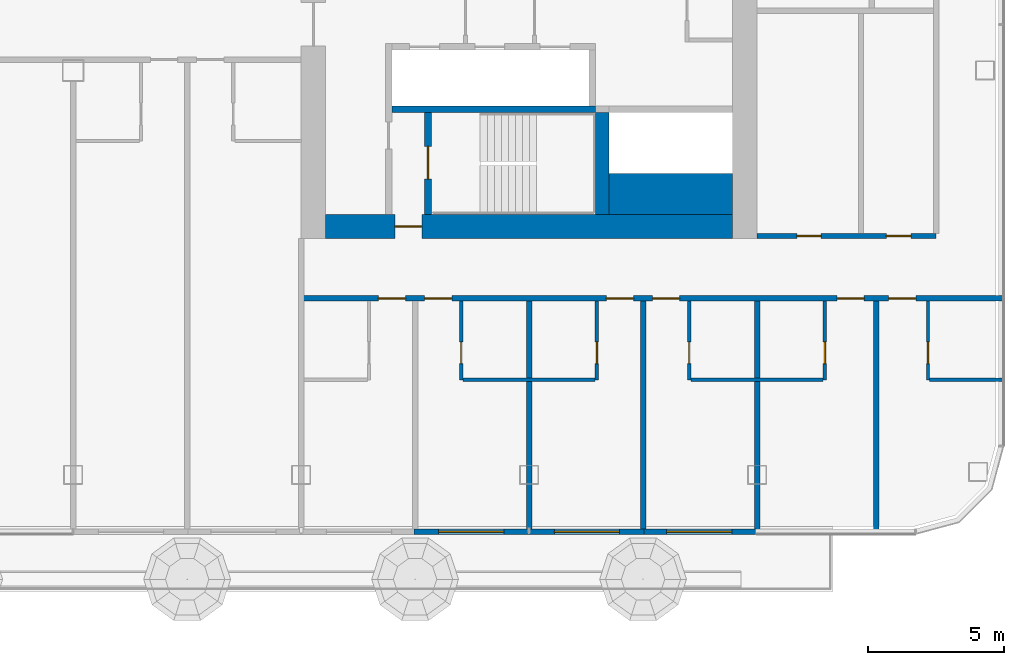
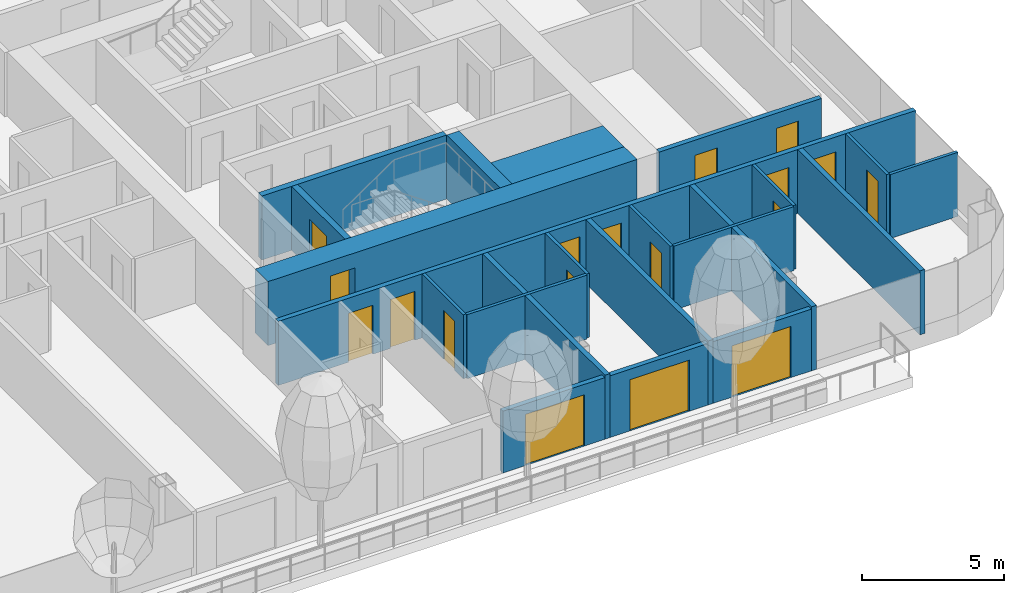
# One storey, part 17 of 32: 22 walls, 18 doors, 18 openings, 1 element without a shape of its own.
"""IFC4 building model written with IfcOpenShell, lengths in metres."""

from ifc_helpers import new_model, si_unit, direction, frame, frame_2d, origin, place, context, subcontext, project, spatial, rectangle, extrude, material, layer, layer_set, type_object, element, fill, aggregate, save


model = new_model("IFC4")

# Units and contexts
model_context = context("Model", 3, precision=1e-05, world=origin(), true_north=direction((0.0, 1.0)))
body_context = subcontext(model_context, "Body", "Model", "MODEL_VIEW")
ifc_project = project(units=[si_unit("LENGTHUNIT", "METRE"), si_unit("AREAUNIT", "SQUARE_METRE"), si_unit("VOLUMEUNIT", "CUBIC_METRE"), si_unit("PLANEANGLEUNIT", "RADIAN"), si_unit("MASSUNIT", "GRAM", prefix="KILO")], contexts=[model_context])

# Site, building, storey
site_placement = place(None, origin())
site = spatial("IfcSite", under=ifc_project, at=site_placement, CompositionType="ELEMENT")
building_placement = place(site_placement, origin())
building = spatial("IfcBuilding", under=site, at=building_placement, Name="Hakoniwa Tower and Hamabe Station Hall", CompositionType="ELEMENT")
storey_placement = place(building_placement, frame((0.0, 0.0, 150.199951171875)))
storey = spatial("IfcBuildingStorey", under=building, at=storey_placement, Name="L42", CompositionType="ELEMENT", Elevation=150.199951171875)

# Walls
ifc_material_1 = material(Name="Gypsum board partition", Category="gypsum")
ifc_layer_1 = layer(ifc_material_1, 0.125)
ifc_layer_set_1 = layer_set([ifc_layer_1], Name="Bathroom Partition 125")
wall_type_1 = type_object("IfcWallType", Name="Bathroom Partition 125", PredefinedType="PARTITIONING", material=ifc_layer_set_1)
for number, where, z_axis, x_axis, name in (
    (1, (22.762451171875, -13.60009765625, 0.0), (0.0, 0.0, 1.0), (1.0, 0.0, 0.0), "GW-L42-006"),
    (2, (31.16259765625, -13.60009765625, 0.0), (0.0, 0.0, 1.0), (1.0, 0.0, 0.0), "GW-L42-007"),
):
    element("IfcWall", number, at=place(storey_placement, frame(where, z_axis=z_axis, x_axis=x_axis)), inside=storey, type_object=wall_type_1, Name=name, PredefinedType="PARTITIONING", context=body_context, shape_type="SweptSolid", body=[
        extrude(rectangle(XDim=4.875, YDim=0.125, at=frame_2d((2.4375, 0.0))), origin(), (0.0, 0.0, 1.0), 2.75),
    ])
wall_1_placement = place(storey_placement, frame((39.96240234375, -13.60009765625, 0.0), z_axis=(0.0, 0.0, 1.0), x_axis=(1.0, 0.0, 0.0)))
element("IfcWall", 3, at=wall_1_placement, inside=storey, type_object=wall_type_1, Name="GW-L42-008", PredefinedType="PARTITIONING", context=body_context, shape_type="SweptSolid", body=[
    extrude(rectangle(XDim=2.737548828125, YDim=0.125, at=frame_2d((1.36865234375, 0.0))), origin(), (0.0, 0.0, 1.0), 2.75),
])

# Wall, opening, door
wall_2_placement = place(storey_placement, frame((22.699951171875, -13.60009765625, 0.0), z_axis=(0.0, 0.0, 1.0), x_axis=(0.0, 1.0, 0.0)))
wall_2 = element("IfcWall", 4, at=wall_2_placement, inside=storey, type_object=wall_type_1, Name="GW-L42-089", PredefinedType="PARTITIONING", context=body_context, shape_type="SweptSolid", body=[
    extrude(rectangle(XDim=2.900146484375, YDim=0.125, at=frame_2d((1.4501953125, 0.0))), origin(), (0.0, 0.0, 1.0), 2.75),
])
opening_1_placement = place(wall_2_placement, frame((0.60009765625, 0.0, 0.0)))
opening_1 = element("IfcOpeningElement", 5, at=opening_1_placement, cuts=wall_2, Name="Opening GD-G3B1-68", PredefinedType="OPENING", context=body_context, shape_type="SweptSolid", body=[
    extrude(rectangle(XDim=0.800048828125, YDim=2.10009765625, at=frame_2d((0.39990234375, 1.050048828125))), frame((0.0, 0.072509765625, 0.0), z_axis=(0.0, -1.0, 0.0), x_axis=(1.0, 0.0, 0.0)), (0.0, 0.0, 1.0), 0.14501953125),
])
ifc_material_2 = material(Name="Timber door leaf", Category="wood")
door_type_1 = type_object("IfcDoorType", Name="Bathroom Door 800", OperationType="SINGLE_SWING_LEFT", PredefinedType="DOOR", material=ifc_material_2)
door_1_placement = place(opening_1_placement, origin())
door_1 = element("IfcDoor", 6, at=door_1_placement, inside=storey, type_object=door_type_1, Name="Door GD-G3B1-68", OperationType="SINGLE_SWING_LEFT", OverallHeight=2.10009765625, OverallWidth=0.800048828125, PredefinedType="DOOR", context=body_context, shape_type="SweptSolid", body=[
    extrude(rectangle(XDim=0.800048828125, YDim=2.10009765625, at=frame_2d((0.39990234375, 1.050048828125))), frame((0.0, 0.02490234375, 0.0), z_axis=(0.0, -1.0, 0.0), x_axis=(1.0, 0.0, 0.0)), (0.0, 0.0, 1.0), 0.050048828125),
])
fill(opening_1, door_1)

wall_3_placement = place(storey_placement, frame((27.699951171875, -13.60009765625, 0.0), z_axis=(0.0, 0.0, 1.0), x_axis=(0.0, 1.0, 0.0)))
wall_3 = element("IfcWall", 7, at=wall_3_placement, inside=storey, type_object=wall_type_1, Name="GW-L42-092", PredefinedType="PARTITIONING", context=body_context, shape_type="SweptSolid", body=[
    extrude(rectangle(XDim=2.900146484375, YDim=0.125, at=frame_2d((1.4501953125, 0.0))), origin(), (0.0, 0.0, 1.0), 2.75),
])
opening_2_placement = place(wall_3_placement, frame((0.60009765625, 0.0, 0.0)))
opening_2 = element("IfcOpeningElement", 8, at=opening_2_placement, cuts=wall_3, Name="Opening GD-G3B1-69", PredefinedType="OPENING", context=body_context, shape_type="SweptSolid", body=[
    extrude(rectangle(XDim=0.800048828125, YDim=2.10009765625, at=frame_2d((0.39990234375, 1.050048828125))), frame((0.0, 0.072509765625, 0.0), z_axis=(0.0, -1.0, 0.0), x_axis=(1.0, 0.0, 0.0)), (0.0, 0.0, 1.0), 0.14501953125),
])
door_2_placement = place(opening_2_placement, origin())
door_2 = element("IfcDoor", 9, at=door_2_placement, inside=storey, type_object=door_type_1, Name="Door GD-G3B1-69", OperationType="SINGLE_SWING_RIGHT", OverallHeight=2.10009765625, OverallWidth=0.800048828125, PredefinedType="DOOR", context=body_context, shape_type="SweptSolid", body=[
    extrude(rectangle(XDim=0.800048828125, YDim=2.10009765625, at=frame_2d((0.39990234375, 1.050048828125))), frame((0.0, 0.02490234375, 0.0), z_axis=(0.0, -1.0, 0.0), x_axis=(1.0, 0.0, 0.0)), (0.0, 0.0, 1.0), 0.050048828125),
])
fill(opening_2, door_2)

wall_4_placement = place(storey_placement, frame((31.10009765625, -13.60009765625, 0.0), z_axis=(0.0, 0.0, 1.0), x_axis=(0.0, 1.0, 0.0)))
wall_4 = element("IfcWall", 10, at=wall_4_placement, inside=storey, type_object=wall_type_1, Name="GW-L42-094", PredefinedType="PARTITIONING", context=body_context, shape_type="SweptSolid", body=[
    extrude(rectangle(XDim=2.900146484375, YDim=0.125, at=frame_2d((1.4501953125, 0.0))), origin(), (0.0, 0.0, 1.0), 2.75),
])
opening_3_placement = place(wall_4_placement, frame((0.60009765625, 0.0, 0.0)))
opening_3 = element("IfcOpeningElement", 11, at=opening_3_placement, cuts=wall_4, Name="Opening GD-G3B1-70", PredefinedType="OPENING", context=body_context, shape_type="SweptSolid", body=[
    extrude(rectangle(XDim=0.800048828125, YDim=2.10009765625, at=frame_2d((0.39990234375, 1.050048828125))), frame((0.0, 0.072509765625, 0.0), z_axis=(0.0, -1.0, 0.0), x_axis=(1.0, 0.0, 0.0)), (0.0, 0.0, 1.0), 0.14501953125),
])
door_3_placement = place(opening_3_placement, origin())
door_3 = element("IfcDoor", 12, at=door_3_placement, inside=storey, type_object=door_type_1, Name="Door GD-G3B1-70", OperationType="SINGLE_SWING_LEFT", OverallHeight=2.10009765625, OverallWidth=0.800048828125, PredefinedType="DOOR", context=body_context, shape_type="SweptSolid", body=[
    extrude(rectangle(XDim=0.800048828125, YDim=2.10009765625, at=frame_2d((0.39990234375, 1.050048828125))), frame((0.0, 0.02490234375, 0.0), z_axis=(0.0, -1.0, 0.0), x_axis=(1.0, 0.0, 0.0)), (0.0, 0.0, 1.0), 0.050048828125),
])
fill(opening_3, door_3)

wall_5_placement = place(storey_placement, frame((36.10009765625, -13.60009765625, 0.0), z_axis=(0.0, 0.0, 1.0), x_axis=(0.0, 1.0, 0.0)))
wall_5 = element("IfcWall", 13, at=wall_5_placement, inside=storey, type_object=wall_type_1, Name="GW-L42-097", PredefinedType="PARTITIONING", context=body_context, shape_type="SweptSolid", body=[
    extrude(rectangle(XDim=2.900146484375, YDim=0.125, at=frame_2d((1.4501953125, 0.0))), origin(), (0.0, 0.0, 1.0), 2.75),
])
opening_4_placement = place(wall_5_placement, frame((0.60009765625, 0.0, 0.0)))
opening_4 = element("IfcOpeningElement", 14, at=opening_4_placement, cuts=wall_5, Name="Opening GD-G3B1-71", PredefinedType="OPENING", context=body_context, shape_type="SweptSolid", body=[
    extrude(rectangle(XDim=0.800048828125, YDim=2.10009765625, at=frame_2d((0.39990234375, 1.050048828125))), frame((0.0, 0.072509765625, 0.0), z_axis=(0.0, -1.0, 0.0), x_axis=(1.0, 0.0, 0.0)), (0.0, 0.0, 1.0), 0.14501953125),
])
door_4_placement = place(opening_4_placement, origin())
door_4 = element("IfcDoor", 15, at=door_4_placement, inside=storey, type_object=door_type_1, Name="Door GD-G3B1-71", OperationType="SINGLE_SWING_RIGHT", OverallHeight=2.10009765625, OverallWidth=0.800048828125, PredefinedType="DOOR", context=body_context, shape_type="SweptSolid", body=[
    extrude(rectangle(XDim=0.800048828125, YDim=2.10009765625, at=frame_2d((0.39990234375, 1.050048828125))), frame((0.0, 0.02490234375, 0.0), z_axis=(0.0, -1.0, 0.0), x_axis=(1.0, 0.0, 0.0)), (0.0, 0.0, 1.0), 0.050048828125),
])
fill(opening_4, door_4)

wall_6_placement = place(storey_placement, frame((39.89990234375, -13.60009765625, 0.0), z_axis=(0.0, 0.0, 1.0), x_axis=(0.0, 1.0, 0.0)))
wall_6 = element("IfcWall", 16, at=wall_6_placement, inside=storey, type_object=wall_type_1, Name="GW-L42-101", PredefinedType="PARTITIONING", context=body_context, shape_type="SweptSolid", body=[
    extrude(rectangle(XDim=2.900146484375, YDim=0.125, at=frame_2d((1.4501953125, 0.0))), origin(), (0.0, 0.0, 1.0), 2.75),
])
opening_5_placement = place(wall_6_placement, frame((0.60009765625, 0.0, 0.0)))
opening_5 = element("IfcOpeningElement", 17, at=opening_5_placement, cuts=wall_6, Name="Opening GD-G3B1-72", PredefinedType="OPENING", context=body_context, shape_type="SweptSolid", body=[
    extrude(rectangle(XDim=0.800048828125, YDim=2.10009765625, at=frame_2d((0.39990234375, 1.050048828125))), frame((0.0, 0.072509765625, 0.0), z_axis=(0.0, -1.0, 0.0), x_axis=(1.0, 0.0, 0.0)), (0.0, 0.0, 1.0), 0.14501953125),
])
door_5_placement = place(opening_5_placement, origin())
door_5 = element("IfcDoor", 18, at=door_5_placement, inside=storey, type_object=door_type_1, Name="Door GD-G3B1-72", OperationType="SINGLE_SWING_LEFT", OverallHeight=2.10009765625, OverallWidth=0.800048828125, PredefinedType="DOOR", context=body_context, shape_type="SweptSolid", body=[
    extrude(rectangle(XDim=0.800048828125, YDim=2.10009765625, at=frame_2d((0.39990234375, 1.050048828125))), frame((0.0, 0.02490234375, 0.0), z_axis=(0.0, -1.0, 0.0), x_axis=(1.0, 0.0, 0.0)), (0.0, 0.0, 1.0), 0.050048828125),
])
fill(opening_5, door_5)

ifc_material_3 = material(Name="Concrete C66", Category="concrete")
ifc_layer_2 = layer(ifc_material_3, 0.89990234375)
ifc_layer_set_2 = layer_set([ifc_layer_2], Name="CORE WALL 900 C66")
wall_type_2 = type_object("IfcWallType", Name="CORE WALL 900 C66", PredefinedType="SHEAR", material=ifc_layer_set_2)
wall_7_placement = place(storey_placement, frame((17.699951171875, -7.949951171875, 0.0), z_axis=(0.0, 0.0, 1.0), x_axis=(1.0, 0.0, 0.0)))
wall_7 = element("IfcWall", 19, at=wall_7_placement, inside=storey, type_object=wall_type_2, Name="Core wall SOUTH east", PredefinedType="SHEAR", context=body_context, shape_type="SweptSolid", body=[
    extrude(rectangle(XDim=15.0, YDim=0.89990234375, at=frame_2d((7.5, 0.0))), origin(), (0.0, 0.0, 1.0), 2.75),
])
opening_6_placement = place(wall_7_placement, frame((2.550048828125, 0.0, 0.0)))
opening_6 = element("IfcOpeningElement", 20, at=opening_6_placement, cuts=wall_7, Name="Opening CD-E-FS3-10", PredefinedType="OPENING", context=body_context, shape_type="SweptSolid", body=[
    extrude(rectangle(XDim=1.0, YDim=2.10009765625, at=frame_2d((0.5, 1.050048828125))), frame((0.0, 0.4599609375, 0.0), z_axis=(0.0, -1.0, 0.0), x_axis=(1.0, 0.0, 0.0)), (0.0, 0.0, 1.0), 0.919921875),
])
ifc_material_4 = material(Name="Steel fire door", Category="steel")
door_type_2 = type_object("IfcDoorType", Name="CORE DOOR 1000 FD60", OperationType="NOTDEFINED", PredefinedType="DOOR", material=ifc_material_4)
door_6_placement = place(opening_6_placement, origin())
door_6 = element("IfcDoor", 21, at=door_6_placement, inside=storey, type_object=door_type_2, Name="Stair vestibule door", OperationType="SINGLE_SWING_LEFT", OverallHeight=2.10009765625, OverallWidth=1.0, PredefinedType="DOOR", context=body_context, shape_type="SweptSolid", body=[
    extrude(rectangle(XDim=1.0, YDim=2.10009765625, at=frame_2d((0.5, 1.050048828125))), frame((0.0, 0.02490234375, 0.0), z_axis=(0.0, -1.0, 0.0), x_axis=(1.0, 0.0, 0.0)), (0.0, 0.0, 1.0), 0.050048828125),
])
fill(opening_6, door_6)

# Walls
ifc_material_5 = material(Name="Concrete C66", Category="concrete")
ifc_layer_3 = layer(ifc_material_5, 1.5)
ifc_layer_set_3 = layer_set([ifc_layer_3], Name="CORE WEB WALL 1500 C66")
wall_type_3 = type_object("IfcWallType", Name="CORE WEB WALL 1500 C66", PredefinedType="SHEAR", material=ifc_layer_set_3)
wall_8_placement = place(storey_placement, frame((28.14990234375, -6.75, 0.0), z_axis=(0.0, 0.0, 1.0), x_axis=(1.0, 0.0, 0.0)))
element("IfcWall", 22, at=wall_8_placement, inside=storey, type_object=wall_type_3, Name="Core wall SER east", PredefinedType="SHEAR", context=body_context, shape_type="SweptSolid", body=[
    extrude(rectangle(XDim=4.550048828125, YDim=1.5, at=frame_2d((2.27490234375, 0.0))), origin(), (0.0, 0.0, 1.0), 2.75),
])
ifc_material_6 = material(Name="Concrete C66", Category="concrete")
ifc_layer_4 = layer(ifc_material_6, 0.25)
ifc_layer_set_4 = layer_set([ifc_layer_4], Name="CORE WEB WALL 250 C66")
wall_type_4 = type_object("IfcWallType", Name="CORE WEB WALL 250 C66", PredefinedType="SHEAR", material=ifc_layer_set_4)
wall_9_placement = place(storey_placement, frame((20.14990234375, -3.625, 0.0), z_axis=(0.0, 0.0, 1.0), x_axis=(1.0, 0.0, 0.0)))
element("IfcWall", 23, at=wall_9_placement, inside=storey, type_object=wall_type_4, Name="Core wall SR east", PredefinedType="SHEAR", context=body_context, shape_type="SweptSolid", body=[
    extrude(rectangle(XDim=7.5, YDim=0.25, at=frame_2d((3.75, 0.0))), origin(), (0.0, 0.0, 1.0), 2.75),
])

# Wall, opening, door
wall_10_placement = place(storey_placement, frame((21.47509765625, -7.5, 0.0), z_axis=(0.0, 0.0, 1.0), x_axis=(0.0, 1.0, 0.0)))
wall_10 = element("IfcWall", 24, at=wall_10_placement, inside=storey, type_object=wall_type_4, Name="Core wall VE east", PredefinedType="SHEAR", context=body_context, shape_type="SweptSolid", body=[
    extrude(rectangle(XDim=3.75, YDim=0.25, at=frame_2d((1.875, 0.0))), origin(), (0.0, 0.0, 1.0), 2.75),
])
opening_7_placement = place(wall_10_placement, frame((1.300048828125, 0.0, 0.0)))
opening_7 = element("IfcOpeningElement", 25, at=opening_7_placement, cuts=wall_10, Name="Opening CD-E-SS-12", PredefinedType="OPENING", context=body_context, shape_type="SweptSolid", body=[
    extrude(rectangle(XDim=1.199951171875, YDim=2.10009765625, at=frame_2d((0.60009765625, 1.050048828125))), frame((0.0, 0.135009765625, 0.0), z_axis=(0.0, -1.0, 0.0), x_axis=(1.0, 0.0, 0.0)), (0.0, 0.0, 1.0), 0.27001953125),
])
ifc_material_7 = material(Name="Steel fire door", Category="steel")
door_type_3 = type_object("IfcDoorType", Name="CORE DOOR 1200 FD60", OperationType="DOUBLE_DOOR_SINGLE_SWING", PredefinedType="DOOR", material=ifc_material_7)
door_7_placement = place(opening_7_placement, origin())
door_7 = element("IfcDoor", 26, at=door_7_placement, inside=storey, type_object=door_type_3, Name="Escape stair door", OperationType="DOUBLE_DOOR_SINGLE_SWING", OverallHeight=2.10009765625, OverallWidth=1.199951171875, PredefinedType="DOOR", context=body_context, shape_type="SweptSolid", body=[
    extrude(rectangle(XDim=1.199951171875, YDim=2.10009765625, at=frame_2d((0.60009765625, 1.050048828125))), frame((0.0, 0.02490234375, 0.0), z_axis=(0.0, -1.0, 0.0), x_axis=(1.0, 0.0, 0.0)), (0.0, 0.0, 1.0), 0.050048828125),
])
fill(opening_7, door_7)

# Wall
ifc_material_8 = material(Name="Concrete C66", Category="concrete")
ifc_layer_5 = layer(ifc_material_8, 0.5)
ifc_layer_set_5 = layer_set([ifc_layer_5], Name="CORE WEB WALL 500 C66")
wall_type_5 = type_object("IfcWallType", Name="CORE WEB WALL 500 C66", PredefinedType="SHEAR", material=ifc_layer_set_5)
wall_11_placement = place(storey_placement, frame((27.89990234375, -7.5, 0.0), z_axis=(0.0, 0.0, 1.0), x_axis=(0.0, 1.0, 0.0)))
element("IfcWall", 27, at=wall_11_placement, inside=storey, type_object=wall_type_5, Name="Core wall SSE east", PredefinedType="SHEAR", context=body_context, shape_type="SweptSolid", body=[
    extrude(rectangle(XDim=3.75, YDim=0.5, at=frame_2d((1.875, 0.0))), origin(), (0.0, 0.0, 1.0), 2.75),
])

# Wall, openings, doors
ifc_material_9 = material(Name="Fire-rated gypsum board partition", Category="gypsum")
ifc_layer_6 = layer(ifc_material_9, 0.199951171875)
ifc_layer_set_6 = layer_set([ifc_layer_6], Name="Corridor Wall 200")
wall_type_6 = type_object("IfcWallType", Name="Corridor Wall 200", PredefinedType="PARTITIONING", material=ifc_layer_set_6)
wall_12_placement = place(storey_placement, frame((16.800048828125, -10.60009765625, 0.0), z_axis=(0.0, 0.0, 1.0), x_axis=(1.0, 0.0, 0.0)))
wall_12 = element("IfcWall", 28, at=wall_12_placement, inside=storey, type_object=wall_type_6, Name="GW-L42-010", PredefinedType="PARTITIONING", context=body_context, shape_type="SweptSolid", body=[
    extrude(rectangle(XDim=25.89990234375, YDim=0.199951171875, at=frame_2d((12.949951171875, 0.0))), origin(), (0.0, 0.0, 1.0), 2.75),
])
opening_8_placement = place(wall_12_placement, frame((2.85009765625, 0.0, 0.0)))
opening_8 = element("IfcOpeningElement", 29, at=opening_8_placement, cuts=wall_12, Name="Opening GD-G3B1-07", PredefinedType="OPENING", context=body_context, shape_type="SweptSolid", body=[
    extrude(rectangle(XDim=1.0, YDim=2.10009765625, at=frame_2d((0.5, 1.050048828125))), frame((0.0, 0.10986328125, 0.0), z_axis=(0.0, -1.0, 0.0), x_axis=(1.0, 0.0, 0.0)), (0.0, 0.0, 1.0), 0.219970703125),
])
opening_9_placement = place(wall_12_placement, frame((4.550048828125, 0.0, 0.0)))
opening_9 = element("IfcOpeningElement", 30, at=opening_9_placement, cuts=wall_12, Name="Opening GD-G3B1-08", PredefinedType="OPENING", context=body_context, shape_type="SweptSolid", body=[
    extrude(rectangle(XDim=1.0, YDim=2.10009765625, at=frame_2d((0.5, 1.050048828125))), frame((0.0, 0.10986328125, 0.0), z_axis=(0.0, -1.0, 0.0), x_axis=(1.0, 0.0, 0.0)), (0.0, 0.0, 1.0), 0.219970703125),
])
opening_10_placement = place(wall_12_placement, frame((11.25, 0.0, 0.0)))
opening_10 = element("IfcOpeningElement", 31, at=opening_10_placement, cuts=wall_12, Name="Opening GD-G3B1-09", PredefinedType="OPENING", context=body_context, shape_type="SweptSolid", body=[
    extrude(rectangle(XDim=1.0, YDim=2.10009765625, at=frame_2d((0.5, 1.050048828125))), frame((0.0, 0.10986328125, 0.0), z_axis=(0.0, -1.0, 0.0), x_axis=(1.0, 0.0, 0.0)), (0.0, 0.0, 1.0), 0.219970703125),
])
opening_11_placement = place(wall_12_placement, frame((12.949951171875, 0.0, 0.0)))
opening_11 = element("IfcOpeningElement", 32, at=opening_11_placement, cuts=wall_12, Name="Opening GD-G3B1-10", PredefinedType="OPENING", context=body_context, shape_type="SweptSolid", body=[
    extrude(rectangle(XDim=1.0, YDim=2.10009765625, at=frame_2d((0.5, 1.050048828125))), frame((0.0, 0.10986328125, 0.0), z_axis=(0.0, -1.0, 0.0), x_axis=(1.0, 0.0, 0.0)), (0.0, 0.0, 1.0), 0.219970703125),
])
opening_12_placement = place(wall_12_placement, frame((19.75, 0.0, 0.0)))
opening_12 = element("IfcOpeningElement", 33, at=opening_12_placement, cuts=wall_12, Name="Opening GD-G3B1-11", PredefinedType="OPENING", context=body_context, shape_type="SweptSolid", body=[
    extrude(rectangle(XDim=1.0, YDim=2.10009765625, at=frame_2d((0.5, 1.050048828125))), frame((0.0, 0.10986328125, 0.0), z_axis=(0.0, -1.0, 0.0), x_axis=(1.0, 0.0, 0.0)), (0.0, 0.0, 1.0), 0.219970703125),
])
opening_13_placement = place(wall_12_placement, frame((21.64990234375, 0.0, 0.0)))
opening_13 = element("IfcOpeningElement", 34, at=opening_13_placement, cuts=wall_12, Name="Opening GD-G3B1-12", PredefinedType="OPENING", context=body_context, shape_type="SweptSolid", body=[
    extrude(rectangle(XDim=1.0, YDim=2.10009765625, at=frame_2d((0.5, 1.050048828125))), frame((0.0, 0.10986328125, 0.0), z_axis=(0.0, -1.0, 0.0), x_axis=(1.0, 0.0, 0.0)), (0.0, 0.0, 1.0), 0.219970703125),
])
ifc_material_10 = material(Name="Timber door leaf", Category="wood")
door_type_4 = type_object("IfcDoorType", Name="Guest Entrance Door 1000", OperationType="SINGLE_SWING_LEFT", PredefinedType="DOOR", material=ifc_material_10)
door_8_placement = place(opening_8_placement, origin())
door_8 = element("IfcDoor", 35, at=door_8_placement, inside=storey, type_object=door_type_4, Name="Door GD-G3B1-07", OperationType="SINGLE_SWING_RIGHT", OverallHeight=2.10009765625, OverallWidth=1.0, PredefinedType="DOOR", context=body_context, shape_type="SweptSolid", body=[
    extrude(rectangle(XDim=1.0, YDim=2.10009765625, at=frame_2d((0.5, 1.050048828125))), frame((0.0, 0.02490234375, 0.0), z_axis=(0.0, -1.0, 0.0), x_axis=(1.0, 0.0, 0.0)), (0.0, 0.0, 1.0), 0.050048828125),
])
fill(opening_8, door_8)
door_9_placement = place(opening_9_placement, origin())
door_9 = element("IfcDoor", 36, at=door_9_placement, inside=storey, type_object=door_type_4, Name="Door GD-G3B1-08", OperationType="SINGLE_SWING_LEFT", OverallHeight=2.10009765625, OverallWidth=1.0, PredefinedType="DOOR", context=body_context, shape_type="SweptSolid", body=[
    extrude(rectangle(XDim=1.0, YDim=2.10009765625, at=frame_2d((0.5, 1.050048828125))), frame((0.0, 0.02490234375, 0.0), z_axis=(0.0, -1.0, 0.0), x_axis=(1.0, 0.0, 0.0)), (0.0, 0.0, 1.0), 0.050048828125),
])
fill(opening_9, door_9)
door_10_placement = place(opening_10_placement, origin())
door_10 = element("IfcDoor", 37, at=door_10_placement, inside=storey, type_object=door_type_4, Name="Door GD-G3B1-09", OperationType="SINGLE_SWING_RIGHT", OverallHeight=2.10009765625, OverallWidth=1.0, PredefinedType="DOOR", context=body_context, shape_type="SweptSolid", body=[
    extrude(rectangle(XDim=1.0, YDim=2.10009765625, at=frame_2d((0.5, 1.050048828125))), frame((0.0, 0.02490234375, 0.0), z_axis=(0.0, -1.0, 0.0), x_axis=(1.0, 0.0, 0.0)), (0.0, 0.0, 1.0), 0.050048828125),
])
fill(opening_10, door_10)
door_11_placement = place(opening_11_placement, origin())
door_11 = element("IfcDoor", 38, at=door_11_placement, inside=storey, type_object=door_type_4, Name="Door GD-G3B1-10", OperationType="SINGLE_SWING_RIGHT", OverallHeight=2.10009765625, OverallWidth=1.0, PredefinedType="DOOR", context=body_context, shape_type="SweptSolid", body=[
    extrude(rectangle(XDim=1.0, YDim=2.10009765625, at=frame_2d((0.5, 1.050048828125))), frame((0.0, 0.02490234375, 0.0), z_axis=(0.0, -1.0, 0.0), x_axis=(1.0, 0.0, 0.0)), (0.0, 0.0, 1.0), 0.050048828125),
])
fill(opening_11, door_11)
door_12_placement = place(opening_12_placement, origin())
door_12 = element("IfcDoor", 39, at=door_12_placement, inside=storey, type_object=door_type_4, Name="Door GD-G3B1-11", OperationType="SINGLE_SWING_LEFT", OverallHeight=2.10009765625, OverallWidth=1.0, PredefinedType="DOOR", context=body_context, shape_type="SweptSolid", body=[
    extrude(rectangle(XDim=1.0, YDim=2.10009765625, at=frame_2d((0.5, 1.050048828125))), frame((0.0, 0.02490234375, 0.0), z_axis=(0.0, -1.0, 0.0), x_axis=(1.0, 0.0, 0.0)), (0.0, 0.0, 1.0), 0.050048828125),
])
fill(opening_12, door_12)
door_13_placement = place(opening_13_placement, origin())
door_13 = element("IfcDoor", 40, at=door_13_placement, inside=storey, type_object=door_type_4, Name="Door GD-G3B1-12", OperationType="SINGLE_SWING_RIGHT", OverallHeight=2.10009765625, OverallWidth=1.0, PredefinedType="DOOR", context=body_context, shape_type="SweptSolid", body=[
    extrude(rectangle(XDim=1.0, YDim=2.10009765625, at=frame_2d((0.5, 1.050048828125))), frame((0.0, 0.02490234375, 0.0), z_axis=(0.0, -1.0, 0.0), x_axis=(1.0, 0.0, 0.0)), (0.0, 0.0, 1.0), 0.050048828125),
])
fill(opening_13, door_13)

wall_13_placement = place(storey_placement, frame((33.60009765625, -8.300048828125, 0.0), z_axis=(0.0, 0.0, 1.0), x_axis=(1.0, 0.0, 0.0)))
wall_13 = element("IfcWall", 41, at=wall_13_placement, inside=storey, type_object=wall_type_6, Name="GW-L42-012", PredefinedType="PARTITIONING", context=body_context, shape_type="SweptSolid", body=[
    extrude(rectangle(XDim=6.599853515625, YDim=0.199951171875, at=frame_2d((3.2998046875, 0.0))), origin(), (0.0, 0.0, 1.0), 2.75),
])
opening_14_placement = place(wall_13_placement, frame((1.465087890625, 0.0, 0.0)))
opening_14 = element("IfcOpeningElement", 42, at=opening_14_placement, cuts=wall_13, Name="Opening GD-G3B1-15", PredefinedType="OPENING", context=body_context, shape_type="SweptSolid", body=[
    extrude(rectangle(XDim=0.89990234375, YDim=2.10009765625, at=frame_2d((0.449951171875, 1.050048828125))), frame((0.0, 0.10986328125, 0.0), z_axis=(0.0, -1.0, 0.0), x_axis=(1.0, 0.0, 0.0)), (0.0, 0.0, 1.0), 0.219970703125),
])
opening_15_placement = place(wall_13_placement, frame((4.764892578125, 0.0, 0.0)))
opening_15 = element("IfcOpeningElement", 43, at=opening_15_placement, cuts=wall_13, Name="Opening GD-G3B1-16", PredefinedType="OPENING", context=body_context, shape_type="SweptSolid", body=[
    extrude(rectangle(XDim=0.89990234375, YDim=2.10009765625, at=frame_2d((0.449951171875, 1.050048828125))), frame((0.0, 0.10986328125, 0.0), z_axis=(0.0, -1.0, 0.0), x_axis=(1.0, 0.0, 0.0)), (0.0, 0.0, 1.0), 0.219970703125),
])
ifc_material_11 = material(Name="Timber door leaf", Category="wood")
door_type_5 = type_object("IfcDoorType", Name="Service Door 900", OperationType="SINGLE_SWING_LEFT", PredefinedType="DOOR", material=ifc_material_11)
door_14_placement = place(opening_14_placement, origin())
door_14 = element("IfcDoor", 44, at=door_14_placement, inside=storey, type_object=door_type_5, Name="Door GD-G3B1-15", OperationType="SINGLE_SWING_LEFT", OverallHeight=2.10009765625, OverallWidth=0.89990234375, PredefinedType="DOOR", context=body_context, shape_type="SweptSolid", body=[
    extrude(rectangle(XDim=0.89990234375, YDim=2.10009765625, at=frame_2d((0.449951171875, 1.050048828125))), frame((0.0, 0.02490234375, 0.0), z_axis=(0.0, -1.0, 0.0), x_axis=(1.0, 0.0, 0.0)), (0.0, 0.0, 1.0), 0.050048828125),
])
fill(opening_14, door_14)
door_15_placement = place(opening_15_placement, origin())
door_15 = element("IfcDoor", 45, at=door_15_placement, inside=storey, type_object=door_type_5, Name="Door GD-G3B1-16", OperationType="SINGLE_SWING_LEFT", OverallHeight=2.10009765625, OverallWidth=0.89990234375, PredefinedType="DOOR", context=body_context, shape_type="SweptSolid", body=[
    extrude(rectangle(XDim=0.89990234375, YDim=2.10009765625, at=frame_2d((0.449951171875, 1.050048828125))), frame((0.0, 0.02490234375, 0.0), z_axis=(0.0, -1.0, 0.0), x_axis=(1.0, 0.0, 0.0)), (0.0, 0.0, 1.0), 0.050048828125),
])
fill(opening_15, door_15)

# Curtain wall, walls, openings, doors
ifc_material_12 = material(Name="Dark low-e laminated glass", Category="glass")
ifc_layer_7 = layer(ifc_material_12, 0.199951171875)
ifc_layer_set_7 = layer_set([ifc_layer_7], Name="CW-1 UNITISED GUEST")
curtain_wall_type = type_object("IfcCurtainWallType", Name="CW-1 UNITISED GUEST", PredefinedType="NOTDEFINED", material=ifc_layer_set_7)
curtain_wall_placement = place(storey_placement, origin())
curtain_wall = element("IfcCurtainWall", 46, at=curtain_wall_placement, inside=storey, type_object=curtain_wall_type, Name="CW-1 curtain wall", PredefinedType="NOTDEFINED")
ifc_material_13 = material(Name="Dark glass-faced aluminium panel", Category="aluminium")
ifc_layer_8 = layer(ifc_material_13, 0.199951171875)
ifc_layer_set_8 = layer_set([ifc_layer_8], Name="DOOR BAY WALL")
wall_type_7 = type_object("IfcWallType", Name="DOOR BAY WALL", PredefinedType="NOTDEFINED", material=ifc_layer_set_8)
wall_14_placement = place(storey_placement, frame((20.9599609375, -19.199951171875, 0.0), z_axis=(0.0, 0.0, 1.0), x_axis=(1.0, 0.0, 0.0)))
wall_14 = element("IfcWall", 47, at=wall_14_placement, type_object=wall_type_7, Name="Door bay wall", PredefinedType="NOTDEFINED", context=body_context, shape_type="SweptSolid", body=[
    extrude(rectangle(XDim=4.219970703125, YDim=0.199951171875, at=frame_2d((2.10986328125, 0.0))), origin(), (0.0, 0.0, 1.0), 2.650146484375),
])
opening_16_placement = place(wall_14_placement, frame((0.909912109375, 0.0, 0.0)))
opening_16 = element("IfcOpeningElement", 48, at=opening_16_placement, cuts=wall_14, Name="Opening BD-S07-13", PredefinedType="OPENING", context=body_context, shape_type="SweptSolid", body=[
    extrude(rectangle(XDim=2.39990234375, YDim=2.199951171875, at=frame_2d((1.199951171875, 1.10009765625))), frame((0.0, 0.10986328125, 0.0), z_axis=(0.0, -1.0, 0.0), x_axis=(1.0, 0.0, 0.0)), (0.0, 0.0, 1.0), 0.219970703125),
])
ifc_material_14 = material(Name="Dark low-e laminated glass", Category="glass")
door_type_6 = type_object("IfcDoorType", Name="BALCONY SLIDING DOOR 2400X2200", OperationType="SLIDING_TO_LEFT", PredefinedType="DOOR", material=ifc_material_14)
door_16_placement = place(opening_16_placement, frame((2.39990234375, 0.0, 0.0), z_axis=(0.0, 0.0, 1.0), x_axis=(-1.0, 0.0, 0.0)))
door_16 = element("IfcDoor", 49, at=door_16_placement, inside=storey, type_object=door_type_6, Name="Balcony sliding door", OperationType="SLIDING_TO_LEFT", OverallHeight=2.199951171875, OverallWidth=2.39990234375, PredefinedType="DOOR", context=body_context, shape_type="SweptSolid", body=[
    extrude(rectangle(XDim=2.39990234375, YDim=2.199951171875, at=frame_2d((1.199951171875, 1.10009765625))), frame((0.0, 0.02490234375, 0.0), z_axis=(0.0, -1.0, 0.0), x_axis=(1.0, 0.0, 0.0)), (0.0, 0.0, 1.0), 0.050048828125),
])
fill(opening_16, door_16)
wall_15_placement = place(storey_placement, frame((25.219970703125, -19.199951171875, 0.0), z_axis=(0.0, 0.0, 1.0), x_axis=(1.0, 0.0, 0.0)))
wall_15 = element("IfcWall", 50, at=wall_15_placement, type_object=wall_type_7, Name="Door bay wall", PredefinedType="NOTDEFINED", context=body_context, shape_type="SweptSolid", body=[
    extrude(rectangle(XDim=4.219970703125, YDim=0.199951171875, at=frame_2d((2.10986328125, 0.0))), origin(), (0.0, 0.0, 1.0), 2.650146484375),
])
opening_17_placement = place(wall_15_placement, frame((0.909912109375, 0.0, 0.0)))
opening_17 = element("IfcOpeningElement", 51, at=opening_17_placement, cuts=wall_15, Name="Opening BD-S07-14", PredefinedType="OPENING", context=body_context, shape_type="SweptSolid", body=[
    extrude(rectangle(XDim=2.39990234375, YDim=2.199951171875, at=frame_2d((1.199951171875, 1.10009765625))), frame((0.0, 0.10986328125, 0.0), z_axis=(0.0, -1.0, 0.0), x_axis=(1.0, 0.0, 0.0)), (0.0, 0.0, 1.0), 0.219970703125),
])
door_17_placement = place(opening_17_placement, frame((2.39990234375, 0.0, 0.0), z_axis=(0.0, 0.0, 1.0), x_axis=(-1.0, 0.0, 0.0)))
door_17 = element("IfcDoor", 52, at=door_17_placement, inside=storey, type_object=door_type_6, Name="Balcony sliding door", OperationType="SLIDING_TO_LEFT", OverallHeight=2.199951171875, OverallWidth=2.39990234375, PredefinedType="DOOR", context=body_context, shape_type="SweptSolid", body=[
    extrude(rectangle(XDim=2.39990234375, YDim=2.199951171875, at=frame_2d((1.199951171875, 1.10009765625))), frame((0.0, 0.02490234375, 0.0), z_axis=(0.0, -1.0, 0.0), x_axis=(1.0, 0.0, 0.0)), (0.0, 0.0, 1.0), 0.050048828125),
])
fill(opening_17, door_17)
wall_16_placement = place(storey_placement, frame((29.360107421875, -19.199951171875, 0.0), z_axis=(0.0, 0.0, 1.0), x_axis=(1.0, 0.0, 0.0)))
wall_16 = element("IfcWall", 53, at=wall_16_placement, type_object=wall_type_7, Name="Door bay wall", PredefinedType="NOTDEFINED", context=body_context, shape_type="SweptSolid", body=[
    extrude(rectangle(XDim=4.219970703125, YDim=0.199951171875, at=frame_2d((2.10986328125, 0.0))), origin(), (0.0, 0.0, 1.0), 2.650146484375),
])
opening_18_placement = place(wall_16_placement, frame((0.909912109375, 0.0, 0.0)))
opening_18 = element("IfcOpeningElement", 54, at=opening_18_placement, cuts=wall_16, Name="Opening BD-S07-15", PredefinedType="OPENING", context=body_context, shape_type="SweptSolid", body=[
    extrude(rectangle(XDim=2.39990234375, YDim=2.199951171875, at=frame_2d((1.199951171875, 1.10009765625))), frame((0.0, 0.10986328125, 0.0), z_axis=(0.0, -1.0, 0.0), x_axis=(1.0, 0.0, 0.0)), (0.0, 0.0, 1.0), 0.219970703125),
])
door_18_placement = place(opening_18_placement, frame((2.39990234375, 0.0, 0.0), z_axis=(0.0, 0.0, 1.0), x_axis=(-1.0, 0.0, 0.0)))
door_18 = element("IfcDoor", 55, at=door_18_placement, inside=storey, type_object=door_type_6, Name="Balcony sliding door", OperationType="SLIDING_TO_LEFT", OverallHeight=2.199951171875, OverallWidth=2.39990234375, PredefinedType="DOOR", context=body_context, shape_type="SweptSolid", body=[
    extrude(rectangle(XDim=2.39990234375, YDim=2.199951171875, at=frame_2d((1.199951171875, 1.10009765625))), frame((0.0, 0.02490234375, 0.0), z_axis=(0.0, -1.0, 0.0), x_axis=(1.0, 0.0, 0.0)), (0.0, 0.0, 1.0), 0.050048828125),
])
fill(opening_18, door_18)
aggregate(curtain_wall, [wall_14, wall_15, wall_16])

# Walls
ifc_material_15 = material(Name="Fire-rated gypsum board partition", Category="gypsum")
ifc_layer_9 = layer(ifc_material_15, 0.199951171875)
ifc_layer_set_9 = layer_set([ifc_layer_9], Name="Party Wall 200")
wall_type_8 = type_object("IfcWallType", Name="Party Wall 200", PredefinedType="PARTITIONING", material=ifc_layer_set_9)
for number, where, z_axis, x_axis, name in (
    (56, (25.199951171875, -19.300048828125, 0.0), (0.0, 0.0, 1.0), (0.0, 1.0, 0.0), "GW-L42-090"),
    (57, (29.39990234375, -19.300048828125, 0.0), (0.0, 0.0, 1.0), (0.0, 1.0, 0.0), "GW-L42-093"),
    (58, (33.60009765625, -19.300048828125, 0.0), (0.0, 0.0, 1.0), (0.0, 1.0, 0.0), "GW-L42-095"),
    (59, (38.0, -19.300048828125, 0.0), (0.0, 0.0, 1.0), (0.0, 1.0, 0.0), "GW-L42-100"),
):
    element("IfcWall", number, at=place(storey_placement, frame(where, z_axis=z_axis, x_axis=x_axis)), inside=storey, type_object=wall_type_8, Name=name, PredefinedType="PARTITIONING", context=body_context, shape_type="SweptSolid", body=[
        extrude(rectangle(XDim=8.60009765625, YDim=0.199951171875, at=frame_2d((4.300048828125, 0.0))), origin(), (0.0, 0.0, 1.0), 2.75),
    ])

save(model, "model.ifc")
